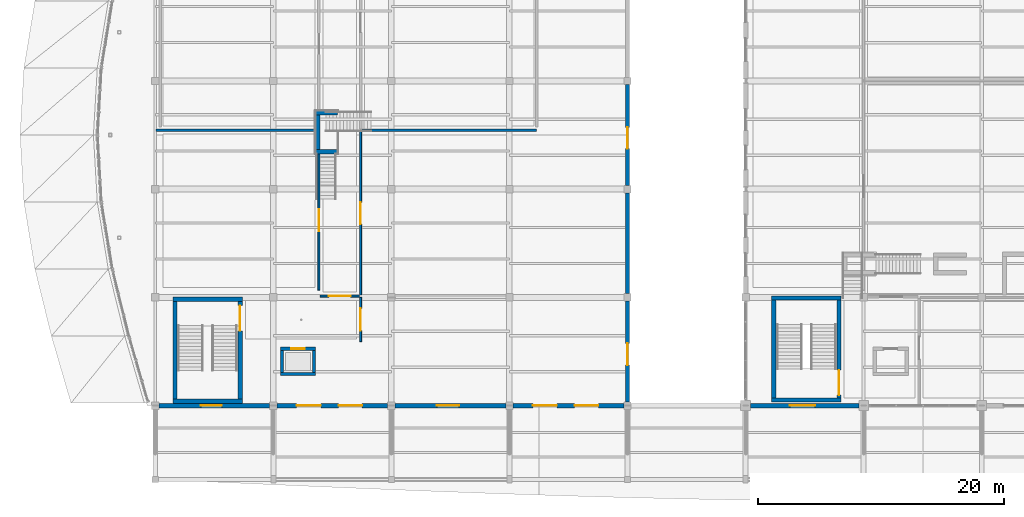
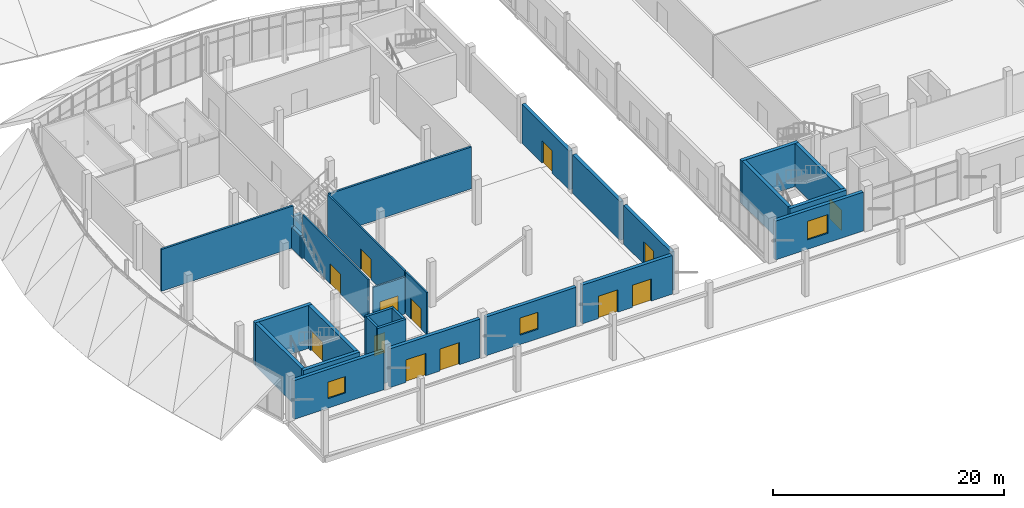
# One storey, part 76 of 116: 29 walls, 13 doors, 3 windows, 16 openings.
"""IFC4 building model written with IfcOpenShell, lengths in metres."""

from ifc_helpers import new_model, si_unit, direction, frame, frame_2d, origin, place, context, subcontext, project, spatial, rectangle, extrude, material, layer, layer_set, type_object, element, fill, save


model = new_model("IFC4")

# Units and contexts
model_context = context("Model", 3, precision=1e-05, world=origin(), true_north=direction((0.0, 1.0)))
body_context = subcontext(model_context, "Body", "Model", "MODEL_VIEW")
ifc_project = project(units=[si_unit("LENGTHUNIT", "METRE"), si_unit("AREAUNIT", "SQUARE_METRE"), si_unit("VOLUMEUNIT", "CUBIC_METRE"), si_unit("PLANEANGLEUNIT", "RADIAN"), si_unit("MASSUNIT", "GRAM", prefix="KILO")], contexts=[model_context])

# Site, building, storey
site_placement = place(None, origin())
site = spatial("IfcSite", under=ifc_project, at=site_placement, CompositionType="ELEMENT")
building_placement = place(site_placement, origin())
building = spatial("IfcBuilding", under=site, at=building_placement, Name="Chalmorin Arch Market", CompositionType="ELEMENT")
storey_placement = place(building_placement, origin())
storey = spatial("IfcBuildingStorey", under=building, at=storey_placement, Name="L00", CompositionType="ELEMENT", Elevation=0.0)

# Walls
ifc_material_1 = material(Name="Concrete C40/50", Category="concrete")
ifc_layer_1 = layer(ifc_material_1, 0.35009765625)
ifc_layer_set_1 = layer_set([ifc_layer_1], Name="Concrete C40/50")
wall_type_1 = type_object("IfcWallType", Name="CoreShearWall-350", PredefinedType="SHEAR", material=ifc_layer_set_1)
for number, where, z_axis, x_axis, name in (
    (1, (7.074951171875, 6.35009765625, 0.0), (0.0, 0.0, 1.0), (-1.0, 0.0, 0.0), "CSW-350-005"),
    (2, (1.425048828125, 14.64990234375, 0.0), (0.0, 0.0, 1.0), (1.0, 0.0, 0.0), "CSW-350-006"),
):
    element("IfcWall", number, at=place(storey_placement, frame(where, z_axis=z_axis, x_axis=x_axis)), inside=storey, type_object=wall_type_1, Name=name, PredefinedType="SHEAR", context=body_context, shape_type="SweptSolid", body=[
        extrude(rectangle(XDim=5.64990234375, YDim=0.35009765625, at=frame_2d((2.824951171875, 0.0))), origin(), (0.0, 0.0, 1.0), 4.550048828125),
    ])
wall_1_placement = place(storey_placement, frame((1.60009765625, 6.52490234375, 0.0), z_axis=(0.0, 0.0, 1.0), x_axis=(0.0, 1.0, 0.0)))
element("IfcWall", 3, at=wall_1_placement, inside=storey, type_object=wall_type_1, Name="CSW-350-007", PredefinedType="SHEAR", context=body_context, shape_type="SweptSolid", body=[
    extrude(rectangle(XDim=7.9501953125, YDim=0.35009765625, at=frame_2d((3.97509765625, 0.0))), origin(), (0.0, 0.0, 1.0), 4.550048828125),
])

# Wall, opening, door
wall_2_placement = place(storey_placement, frame((6.89990234375, 14.47509765625, 0.0), z_axis=(0.0, 0.0, 1.0), x_axis=(0.0, -1.0, 0.0)))
wall_2 = element("IfcWall", 4, at=wall_2_placement, inside=storey, type_object=wall_type_1, Name="CSW-350-008", PredefinedType="SHEAR", context=body_context, shape_type="SweptSolid", body=[
    extrude(rectangle(XDim=7.9501953125, YDim=0.35009765625, at=frame_2d((3.97509765625, 0.0))), origin(), (0.0, 0.0, 1.0), 4.550048828125),
])
opening_1_placement = place(wall_2_placement, frame((0.35009765625, 0.0, 0.0)))
opening_1 = element("IfcOpeningElement", 5, at=opening_1_placement, cuts=wall_2, Name="Opening FD-SC1-L00", PredefinedType="OPENING", context=body_context, shape_type="SweptSolid", body=[
    extrude(rectangle(XDim=2.050048828125, YDim=2.14990234375, at=frame_2d((1.02490234375, 1.074951171875))), frame((0.0, 0.18505859375, 0.0), z_axis=(0.0, -1.0, 0.0), x_axis=(1.0, 0.0, 0.0)), (0.0, 0.0, 1.0), 0.3701171875),
])
ifc_material_2 = material(Name="Galvanised Steel", Category="steel")
door_type_1 = type_object("IfcDoorType", Name="DoubleFireExitDoor-2050x2150", OperationType="DOUBLE_DOOR_SINGLE_SWING", PredefinedType="DOOR", material=ifc_material_2)
door_1_placement = place(opening_1_placement, origin())
door_1 = element("IfcDoor", 6, at=door_1_placement, inside=storey, type_object=door_type_1, Name="FD-SC1-L00", OperationType="DOUBLE_DOOR_SINGLE_SWING", OverallHeight=2.14990234375, OverallWidth=2.050048828125, PredefinedType="DOOR", context=body_context, shape_type="SweptSolid", body=[
    extrude(rectangle(XDim=2.050048828125, YDim=2.14990234375, at=frame_2d((1.02490234375, 1.074951171875))), frame((0.0, 0.02490234375, 0.0), z_axis=(0.0, -1.0, 0.0), x_axis=(1.0, 0.0, 0.0)), (0.0, 0.0, 1.0), 0.050048828125),
])
fill(opening_1, door_1)

# Walls
for number, where, z_axis, x_axis, name in (
    (7, (55.77490234375, 6.449951171875, 0.0), (0.0, 0.0, 1.0), (-1.0, 0.0, 0.0), "CSW-350-037"),
    (8, (50.125, 14.75, 0.0), (0.0, 0.0, 1.0), (1.0, 0.0, 0.0), "CSW-350-038"),
):
    element("IfcWall", number, at=place(storey_placement, frame(where, z_axis=z_axis, x_axis=x_axis)), inside=storey, type_object=wall_type_1, Name=name, PredefinedType="SHEAR", context=body_context, shape_type="SweptSolid", body=[
        extrude(rectangle(XDim=5.64990234375, YDim=0.35009765625, at=frame_2d((2.824951171875, 0.0))), origin(), (0.0, 0.0, 1.0), 4.550048828125),
    ])
wall_3_placement = place(storey_placement, frame((50.300048828125, 6.625, 0.0), z_axis=(0.0, 0.0, 1.0), x_axis=(0.0, 1.0, 0.0)))
element("IfcWall", 9, at=wall_3_placement, inside=storey, type_object=wall_type_1, Name="CSW-350-039", PredefinedType="SHEAR", context=body_context, shape_type="SweptSolid", body=[
    extrude(rectangle(XDim=7.949951171875, YDim=0.35009765625, at=frame_2d((3.97509765625, 0.0))), origin(), (0.0, 0.0, 1.0), 4.550048828125),
])

# Wall, opening, door
wall_4_placement = place(storey_placement, frame((55.60009765625, 14.574951171875, 0.0), z_axis=(0.0, 0.0, 1.0), x_axis=(0.0, -1.0, 0.0)))
wall_4 = element("IfcWall", 10, at=wall_4_placement, inside=storey, type_object=wall_type_1, Name="CSW-350-040", PredefinedType="SHEAR", context=body_context, shape_type="SweptSolid", body=[
    extrude(rectangle(XDim=7.949951171875, YDim=0.35009765625, at=frame_2d((3.97509765625, 0.0))), origin(), (0.0, 0.0, 1.0), 4.550048828125),
])
opening_2_placement = place(wall_4_placement, frame((5.679931640625, 0.0, 0.0)))
opening_2 = element("IfcOpeningElement", 11, at=opening_2_placement, cuts=wall_4, Name="Opening FD-SC3-L00", PredefinedType="OPENING", context=body_context, shape_type="SweptSolid", body=[
    extrude(rectangle(XDim=2.050048828125, YDim=2.14990234375, at=frame_2d((1.02490234375, 1.074951171875))), frame((0.0, 0.18505859375, 0.0), z_axis=(0.0, -1.0, 0.0), x_axis=(1.0, 0.0, 0.0)), (0.0, 0.0, 1.0), 0.3701171875),
])
door_2_placement = place(opening_2_placement, origin())
door_2 = element("IfcDoor", 12, at=door_2_placement, inside=storey, type_object=door_type_1, Name="FD-SC3-L00", OperationType="DOUBLE_DOOR_SINGLE_SWING", OverallHeight=2.14990234375, OverallWidth=2.050048828125, PredefinedType="DOOR", context=body_context, shape_type="SweptSolid", body=[
    extrude(rectangle(XDim=2.050048828125, YDim=2.14990234375, at=frame_2d((1.02490234375, 1.074951171875))), frame((0.0, 0.02490234375, 0.0), z_axis=(0.0, -1.0, 0.0), x_axis=(1.0, 0.0, 0.0)), (0.0, 0.0, 1.0), 0.050048828125),
])
fill(opening_2, door_2)

# Walls
for number, where, z_axis, x_axis, name in (
    (13, (13.02490234375, 26.64990234375, 0.0), (0.0, 0.0, 1.0), (1.0, 0.0, 0.0), "CSW-350-171"),
    (14, (13.02490234375, 29.800048828125, 0.0), (0.0, 0.0, 1.0), (1.0, 0.0, 0.0), "CSW-350-172"),
):
    element("IfcWall", number, at=place(storey_placement, frame(where, z_axis=z_axis, x_axis=x_axis)), inside=storey, type_object=wall_type_1, Name=name, PredefinedType="SHEAR", context=body_context, shape_type="SweptSolid", body=[
        extrude(rectangle(XDim=1.800048828125, YDim=0.35009765625, at=frame_2d((0.89990234375, 0.0))), origin(), (0.0, 0.0, 1.0), 2.205078125),
    ])
wall_5_placement = place(storey_placement, frame((13.199951171875, 26.824951171875, 0.0), z_axis=(0.0, 0.0, 1.0), x_axis=(0.0, 1.0, 0.0)))
element("IfcWall", 15, at=wall_5_placement, inside=storey, type_object=wall_type_1, Name="CSW-350-173", PredefinedType="SHEAR", context=body_context, shape_type="SweptSolid", body=[
    extrude(rectangle(XDim=2.800048828125, YDim=0.35009765625, at=frame_2d((1.39990234375, 0.0))), origin(), (0.0, 0.0, 1.0), 2.205078125),
])

# Wall, opening, door
ifc_material_3 = material(Name="Gypsum Board Partition")
ifc_layer_2 = layer(ifc_material_3, 0.159912109375)
ifc_layer_set_2 = layer_set([ifc_layer_2], Name="Gypsum Board Partition")
wall_type_2 = type_object("IfcWallType", Name="CorridorRatedPartition-160", PredefinedType="PARTITIONING", material=ifc_layer_set_2)
wall_6_placement = place(storey_placement, frame((16.699951171875, 11.199951171875, 0.0), z_axis=(0.0, 0.0, 1.0), x_axis=(0.0, 1.0, 0.0)))
wall_6 = element("IfcWall", 16, at=wall_6_placement, inside=storey, type_object=wall_type_2, Name="CRP-160-417", PredefinedType="PARTITIONING", context=body_context, shape_type="SweptSolid", body=[
    extrude(rectangle(XDim=3.60009765625, YDim=0.159912109375, at=frame_2d((1.800048828125, 0.0))), origin(), (0.0, 0.0, 1.0), 4.419921875),
])
opening_3_placement = place(wall_6_placement, frame((0.89990234375, 0.0, 0.0)))
opening_3 = element("IfcOpeningElement", 17, at=opening_3_placement, cuts=wall_6, Name="Opening ID-115", PredefinedType="OPENING", context=body_context, shape_type="SweptSolid", body=[
    extrude(rectangle(XDim=1.800048828125, YDim=2.14990234375, at=frame_2d((0.89990234375, 1.074951171875))), frame((0.0, 0.08984375, 0.0), z_axis=(0.0, -1.0, 0.0), x_axis=(1.0, 0.0, 0.0)), (0.0, 0.0, 1.0), 0.179931640625),
])
door_type_2 = type_object("IfcDoorType", Name="CorridorFireDoubleDoor-1800x2150", OperationType="DOUBLE_DOOR_SINGLE_SWING", PredefinedType="DOOR", material=ifc_material_2)
door_3_placement = place(opening_3_placement, origin())
door_3 = element("IfcDoor", 18, at=door_3_placement, inside=storey, type_object=door_type_2, Name="ID-115", OperationType="DOUBLE_DOOR_SINGLE_SWING", OverallHeight=2.14990234375, OverallWidth=1.800048828125, PredefinedType="DOOR", context=body_context, shape_type="SweptSolid", body=[
    extrude(rectangle(XDim=1.800048828125, YDim=2.14990234375, at=frame_2d((0.89990234375, 1.074951171875))), frame((0.0, 0.02490234375, 0.0), z_axis=(0.0, -1.0, 0.0), x_axis=(1.0, 0.0, 0.0)), (0.0, 0.0, 1.0), 0.050048828125),
])
fill(opening_3, door_3)

wall_7_placement = place(storey_placement, frame((16.699951171875, 15.0, 0.0), z_axis=(0.0, 0.0, 1.0), x_axis=(0.0, 1.0, 0.0)))
wall_7 = element("IfcWall", 19, at=wall_7_placement, inside=storey, type_object=wall_type_2, Name="CRP-160-418", PredefinedType="PARTITIONING", context=body_context, shape_type="SweptSolid", body=[
    extrude(rectangle(XDim=13.300048828125, YDim=0.159912109375, at=frame_2d((6.64990234375, 0.0))), origin(), (0.0, 0.0, 1.0), 4.419921875),
])
opening_4_placement = place(wall_7_placement, frame((5.75, 0.0, 0.0)))
opening_4 = element("IfcOpeningElement", 20, at=opening_4_placement, cuts=wall_7, Name="Opening ID-116", PredefinedType="OPENING", context=body_context, shape_type="SweptSolid", body=[
    extrude(rectangle(XDim=1.800048828125, YDim=2.14990234375, at=frame_2d((0.89990234375, 1.074951171875))), frame((0.0, 0.08984375, 0.0), z_axis=(0.0, -1.0, 0.0), x_axis=(1.0, 0.0, 0.0)), (0.0, 0.0, 1.0), 0.179931640625),
])
door_4_placement = place(opening_4_placement, origin())
door_4 = element("IfcDoor", 21, at=door_4_placement, inside=storey, type_object=door_type_2, Name="ID-116", OperationType="DOUBLE_DOOR_SINGLE_SWING", OverallHeight=2.14990234375, OverallWidth=1.800048828125, PredefinedType="DOOR", context=body_context, shape_type="SweptSolid", body=[
    extrude(rectangle(XDim=1.800048828125, YDim=2.14990234375, at=frame_2d((0.89990234375, 1.074951171875))), frame((0.0, 0.02490234375, 0.0), z_axis=(0.0, -1.0, 0.0), x_axis=(1.0, 0.0, 0.0)), (0.0, 0.0, 1.0), 0.050048828125),
])
fill(opening_4, door_4)

wall_8_placement = place(storey_placement, frame((13.300048828125, 15.39990234375, 0.0), z_axis=(0.0, 0.0, 1.0), x_axis=(0.0, 1.0, 0.0)))
wall_8 = element("IfcWall", 22, at=wall_8_placement, inside=storey, type_object=wall_type_2, Name="CRP-160-420", PredefinedType="PARTITIONING", context=body_context, shape_type="SweptSolid", body=[
    extrude(rectangle(XDim=11.34521484375, YDim=0.159912109375, at=frame_2d((5.672607421875, 0.0))), origin(), (0.0, 0.0, 1.0), 4.419921875),
])
opening_5_placement = place(wall_8_placement, frame((4.77197265625, 0.0, 0.0)))
opening_5 = element("IfcOpeningElement", 23, at=opening_5_placement, cuts=wall_8, Name="Opening ID-117", PredefinedType="OPENING", context=body_context, shape_type="SweptSolid", body=[
    extrude(rectangle(XDim=1.800048828125, YDim=2.14990234375, at=frame_2d((0.89990234375, 1.074951171875))), frame((0.0, 0.08984375, 0.0), z_axis=(0.0, -1.0, 0.0), x_axis=(1.0, 0.0, 0.0)), (0.0, 0.0, 1.0), 0.179931640625),
])
door_5_placement = place(opening_5_placement, origin())
door_5 = element("IfcDoor", 24, at=door_5_placement, inside=storey, type_object=door_type_2, Name="ID-117", OperationType="DOUBLE_DOOR_SINGLE_SWING", OverallHeight=2.14990234375, OverallWidth=1.800048828125, PredefinedType="DOOR", context=body_context, shape_type="SweptSolid", body=[
    extrude(rectangle(XDim=1.800048828125, YDim=2.14990234375, at=frame_2d((0.89990234375, 1.074951171875))), frame((0.0, 0.02490234375, 0.0), z_axis=(0.0, -1.0, 0.0), x_axis=(1.0, 0.0, 0.0)), (0.0, 0.0, 1.0), 0.050048828125),
])
fill(opening_5, door_5)

wall_9_placement = place(storey_placement, frame((13.39990234375, 14.89990234375, 0.0), z_axis=(0.0, 0.0, 1.0), x_axis=(1.0, 0.0, 0.0)))
wall_9 = element("IfcWall", 25, at=wall_9_placement, inside=storey, type_object=wall_type_2, Name="CRP-160-427", PredefinedType="PARTITIONING", context=body_context, shape_type="SweptSolid", body=[
    extrude(rectangle(XDim=3.2001953125, YDim=0.159912109375, at=frame_2d((1.60009765625, 0.0))), origin(), (0.0, 0.0, 1.0), 3.89501953125),
])
opening_6_placement = place(wall_9_placement, frame((0.699951171875, 0.0, 0.0)))
opening_6 = element("IfcOpeningElement", 26, at=opening_6_placement, cuts=wall_9, Name="Opening ID-121", PredefinedType="OPENING", context=body_context, shape_type="SweptSolid", body=[
    extrude(rectangle(XDim=1.800048828125, YDim=2.14990234375, at=frame_2d((0.89990234375, 1.074951171875))), frame((0.0, 0.08984375, 0.0), z_axis=(0.0, -1.0, 0.0), x_axis=(1.0, 0.0, 0.0)), (0.0, 0.0, 1.0), 0.179931640625),
])
door_6_placement = place(opening_6_placement, origin())
door_6 = element("IfcDoor", 27, at=door_6_placement, inside=storey, type_object=door_type_2, Name="ID-121", OperationType="DOUBLE_DOOR_SINGLE_SWING", OverallHeight=2.14990234375, OverallWidth=1.800048828125, PredefinedType="DOOR", context=body_context, shape_type="SweptSolid", body=[
    extrude(rectangle(XDim=1.800048828125, YDim=2.14990234375, at=frame_2d((0.89990234375, 1.074951171875))), frame((0.0, 0.02490234375, 0.0), z_axis=(0.0, -1.0, 0.0), x_axis=(1.0, 0.0, 0.0)), (0.0, 0.0, 1.0), 0.050048828125),
])
fill(opening_6, door_6)

# Walls
ifc_material_4 = material(Name="Concrete C30/37", Category="concrete")
ifc_layer_3 = layer(ifc_material_4, 0.199951171875)
ifc_layer_set_3 = layer_set([ifc_layer_3], Name="Concrete C30/37")
wall_type_3 = type_object("IfcWallType", Name="FireCompartmentWall-200", PredefinedType="PARTITIONING", material=ifc_layer_set_3)
wall_10_placement = place(storey_placement, frame((16.800048828125, 28.39990234375, 0.0), z_axis=(0.0, 0.0, 1.0), x_axis=(1.0, 0.0, 0.0)))
element("IfcWall", 28, at=wall_10_placement, inside=storey, type_object=wall_type_3, Name="FCW-200-416", PredefinedType="PARTITIONING", context=body_context, shape_type="SweptSolid", body=[
    extrude(rectangle(XDim=14.199951171875, YDim=0.199951171875, at=frame_2d((7.10009765625, 0.0))), origin(), (0.0, 0.0, 1.0), 4.419921875),
])
wall_11_placement = place(storey_placement, frame((0.050048828125, 28.39990234375, 0.0), z_axis=(0.0, 0.0, 1.0), x_axis=(1.0, 0.0, 0.0)))
element("IfcWall", 29, at=wall_11_placement, inside=storey, type_object=wall_type_3, Name="FCW-200-419", PredefinedType="PARTITIONING", context=body_context, shape_type="SweptSolid", body=[
    extrude(rectangle(XDim=13.14990234375, YDim=0.199951171875, at=frame_2d((6.574951171875, 0.0))), origin(), (0.0, 0.0, 1.0), 4.419921875),
])

# Wall, opening, window
ifc_material_5 = material(Name="Concrete C35/45", Category="concrete")
ifc_layer_4 = layer(ifc_material_5, 0.35009765625)
ifc_layer_set_4 = layer_set([ifc_layer_4], Name="Concrete C35/45")
wall_type_4 = type_object("IfcWallType", Name="PlinthPerimeterWall-350", PredefinedType="SOLIDWALL", material=ifc_layer_set_4)
wall_12_placement = place(storey_placement, frame((48.39990234375, 6.0, 0.0), z_axis=(0.0, 0.0, 1.0), x_axis=(1.0, 0.0, 0.0)))
wall_12 = element("IfcWall", 30, at=wall_12_placement, inside=storey, type_object=wall_type_4, Name="PPW-350-073", PredefinedType="SOLIDWALL", context=body_context, shape_type="SweptSolid", body=[
    extrude(rectangle(XDim=8.800048828125, YDim=0.35009765625, at=frame_2d((4.39990234375, 0.0))), origin(), (0.0, 0.0, 1.0), 4.10009765625),
])
opening_7_placement = place(wall_12_placement, frame((3.199951171875, 0.0, 1.0)))
opening_7 = element("IfcOpeningElement", 31, at=opening_7_placement, cuts=wall_12, Name="Opening WN-001", PredefinedType="OPENING", context=body_context, shape_type="SweptSolid", body=[
    extrude(rectangle(XDim=2.06005859375, YDim=1.969970703125, at=frame_2d((1.030029296875, 0.98486328125))), frame((0.0, 0.18505859375, 0.0), z_axis=(0.0, -1.0, 0.0), x_axis=(1.0, 0.0, 0.0)), (0.0, 0.0, 1.0), 0.3701171875),
])
ifc_material_6 = material(Name="Low-E Tempered Glass", Category="glass")
window_type_1 = type_object("IfcWindowType", Name="GalleryArchHeadWindow-2100x2000-2060x1970", PartitioningType="SINGLE_PANEL", PredefinedType="WINDOW", material=ifc_material_6)
window_1_placement = place(opening_7_placement, origin())
window_1 = element("IfcWindow", 32, at=window_1_placement, inside=storey, type_object=window_type_1, Name="WN-001", OverallHeight=1.969970703125, OverallWidth=2.06005859375, PartitioningType="SINGLE_PANEL", PredefinedType="WINDOW", context=body_context, shape_type="SweptSolid", body=[
    extrude(rectangle(XDim=2.06005859375, YDim=1.969970703125, at=frame_2d((1.030029296875, 0.98486328125))), frame((0.0, 0.030029296875, 0.0), z_axis=(0.0, -1.0, 0.0), x_axis=(1.0, 0.0, 0.0)), (0.0, 0.0, 1.0), 0.06005859375),
])
fill(opening_7, window_1)

wall_13_placement = place(storey_placement, frame((0.300048828125, 6.0, 0.0), z_axis=(0.0, 0.0, 1.0), x_axis=(1.0, 0.0, 0.0)))
wall_13 = element("IfcWall", 33, at=wall_13_placement, inside=storey, type_object=wall_type_4, Name="PPW-350-165", PredefinedType="SOLIDWALL", context=body_context, shape_type="SweptSolid", body=[
    extrude(rectangle(XDim=9.0, YDim=0.35009765625, at=frame_2d((4.5, 0.0))), origin(), (0.0, 0.0, 1.0), 4.10009765625),
])
opening_8_placement = place(wall_13_placement, frame((3.39990234375, 0.0, 1.0)))
opening_8 = element("IfcOpeningElement", 34, at=opening_8_placement, cuts=wall_13, Name="Opening WN-094", PredefinedType="OPENING", context=body_context, shape_type="SweptSolid", body=[
    extrude(rectangle(XDim=1.719970703125, YDim=1.739990234375, at=frame_2d((0.85986328125, 0.8701171875))), frame((0.0, 0.18505859375, 0.0), z_axis=(0.0, -1.0, 0.0), x_axis=(1.0, 0.0, 0.0)), (0.0, 0.0, 1.0), 0.3701171875),
])
window_type_2 = type_object("IfcWindowType", Name="CulinaryStudioWindow-1800x1800-1720x1740", PartitioningType="SINGLE_PANEL", PredefinedType="WINDOW", material=ifc_material_6)
window_2_placement = place(opening_8_placement, origin())
window_2 = element("IfcWindow", 35, at=window_2_placement, inside=storey, type_object=window_type_2, Name="WN-094", OverallHeight=1.739990234375, OverallWidth=1.719970703125, PartitioningType="SINGLE_PANEL", PredefinedType="WINDOW", context=body_context, shape_type="SweptSolid", body=[
    extrude(rectangle(XDim=1.719970703125, YDim=1.739990234375, at=frame_2d((0.85986328125, 0.8701171875))), frame((0.0, 0.030029296875, 0.0), z_axis=(0.0, -1.0, 0.0), x_axis=(1.0, 0.0, 0.0)), (0.0, 0.0, 1.0), 0.06005859375),
])
fill(opening_8, window_2)

# Wall, openings, doors
wall_14_placement = place(storey_placement, frame((9.89990234375, 6.0, 0.0), z_axis=(0.0, 0.0, 1.0), x_axis=(1.0, 0.0, 0.0)))
wall_14 = element("IfcWall", 36, at=wall_14_placement, inside=storey, type_object=wall_type_4, Name="PPW-350-166", PredefinedType="SOLIDWALL", context=body_context, shape_type="SweptSolid", body=[
    extrude(rectangle(XDim=9.0, YDim=0.35009765625, at=frame_2d((4.5, 0.0))), origin(), (0.0, 0.0, 1.0), 4.10009765625),
])
opening_9_placement = place(wall_14_placement, frame((1.60009765625, 0.0, 0.0)))
opening_9 = element("IfcOpeningElement", 37, at=opening_9_placement, cuts=wall_14, Name="Opening ED-029", PredefinedType="OPENING", context=body_context, shape_type="SweptSolid", body=[
    extrude(rectangle(XDim=1.9599609375, YDim=2.3701171875, at=frame_2d((0.97998046875, 1.18505859375))), frame((0.0, 0.18505859375, 0.0), z_axis=(0.0, -1.0, 0.0), x_axis=(1.0, 0.0, 0.0)), (0.0, 0.0, 1.0), 0.3701171875),
])
opening_10_placement = place(wall_14_placement, frame((5.0, 0.0, 0.0)))
opening_10 = element("IfcOpeningElement", 38, at=opening_10_placement, cuts=wall_14, Name="Opening ED-030", PredefinedType="OPENING", context=body_context, shape_type="SweptSolid", body=[
    extrude(rectangle(XDim=1.919921875, YDim=2.340087890625, at=frame_2d((0.9599609375, 1.169921875))), frame((0.0, 0.18505859375, 0.0), z_axis=(0.0, -1.0, 0.0), x_axis=(1.0, 0.0, 0.0)), (0.0, 0.0, 1.0), 0.3701171875),
])
ifc_material_7 = material(Name="Aluminium 6063-T6", Category="aluminium")
door_type_3 = type_object("IfcDoorType", Name="DoubleStorefrontDoor-2000x2400-1920x2340", OperationType="DOUBLE_DOOR_SINGLE_SWING", PredefinedType="DOOR", material=ifc_material_7)
door_7_placement = place(opening_10_placement, origin())
door_7 = element("IfcDoor", 39, at=door_7_placement, inside=storey, type_object=door_type_3, Name="ED-030", OperationType="DOUBLE_DOOR_SINGLE_SWING", OverallHeight=2.340087890625, OverallWidth=1.919921875, PredefinedType="DOOR", context=body_context, shape_type="SweptSolid", body=[
    extrude(rectangle(XDim=1.919921875, YDim=2.340087890625, at=frame_2d((0.9599609375, 1.169921875))), frame((0.0, 0.02490234375, 0.0), z_axis=(0.0, -1.0, 0.0), x_axis=(1.0, 0.0, 0.0)), (0.0, 0.0, 1.0), 0.050048828125),
])
fill(opening_10, door_7)
door_type_4 = type_object("IfcDoorType", Name="DoubleStorefrontDoor-2000x2400-1960x2370", OperationType="DOUBLE_DOOR_SINGLE_SWING", PredefinedType="DOOR", material=ifc_material_7)
door_8_placement = place(opening_9_placement, origin())
door_8 = element("IfcDoor", 40, at=door_8_placement, inside=storey, type_object=door_type_4, Name="ED-029", OperationType="DOUBLE_DOOR_SINGLE_SWING", OverallHeight=2.3701171875, OverallWidth=1.9599609375, PredefinedType="DOOR", context=body_context, shape_type="SweptSolid", body=[
    extrude(rectangle(XDim=1.9599609375, YDim=2.3701171875, at=frame_2d((0.97998046875, 1.18505859375))), frame((0.0, 0.02490234375, 0.0), z_axis=(0.0, -1.0, 0.0), x_axis=(1.0, 0.0, 0.0)), (0.0, 0.0, 1.0), 0.050048828125),
])
fill(opening_9, door_8)

# Wall, opening, window
wall_15_placement = place(storey_placement, frame((19.5, 6.0, 0.0), z_axis=(0.0, 0.0, 1.0), x_axis=(1.0, 0.0, 0.0)))
wall_15 = element("IfcWall", 41, at=wall_15_placement, inside=storey, type_object=wall_type_4, Name="PPW-350-168", PredefinedType="SOLIDWALL", context=body_context, shape_type="SweptSolid", body=[
    extrude(rectangle(XDim=9.0, YDim=0.35009765625, at=frame_2d((4.5, 0.0))), origin(), (0.0, 0.0, 1.0), 4.10009765625),
])
opening_11_placement = place(wall_15_placement, frame((3.39990234375, 0.0, 1.0)))
opening_11 = element("IfcOpeningElement", 42, at=opening_11_placement, cuts=wall_15, Name="Opening WN-096", PredefinedType="OPENING", context=body_context, shape_type="SweptSolid", body=[
    extrude(rectangle(XDim=1.800048828125, YDim=1.800048828125, at=frame_2d((0.89990234375, 0.89990234375))), frame((0.0, 0.18505859375, 0.0), z_axis=(0.0, -1.0, 0.0), x_axis=(1.0, 0.0, 0.0)), (0.0, 0.0, 1.0), 0.3701171875),
])
window_type_3 = type_object("IfcWindowType", Name="CulinaryStudioWindow-1800x1800", PartitioningType="SINGLE_PANEL", PredefinedType="WINDOW", material=ifc_material_6)
window_3_placement = place(opening_11_placement, origin())
window_3 = element("IfcWindow", 43, at=window_3_placement, inside=storey, type_object=window_type_3, Name="WN-096", OverallHeight=1.800048828125, OverallWidth=1.800048828125, PartitioningType="SINGLE_PANEL", PredefinedType="WINDOW", context=body_context, shape_type="SweptSolid", body=[
    extrude(rectangle(XDim=1.800048828125, YDim=1.800048828125, at=frame_2d((0.89990234375, 0.89990234375))), frame((0.0, 0.030029296875, 0.0), z_axis=(0.0, -1.0, 0.0), x_axis=(1.0, 0.0, 0.0)), (0.0, 0.0, 1.0), 0.06005859375),
])
fill(opening_11, window_3)

# Wall, openings, doors
wall_16_placement = place(storey_placement, frame((29.10009765625, 6.0, 0.0), z_axis=(0.0, 0.0, 1.0), x_axis=(1.0, 0.0, 0.0)))
wall_16 = element("IfcWall", 44, at=wall_16_placement, inside=storey, type_object=wall_type_4, Name="PPW-350-170", PredefinedType="SOLIDWALL", context=body_context, shape_type="SweptSolid", body=[
    extrude(rectangle(XDim=9.0, YDim=0.35009765625, at=frame_2d((4.5, 0.0))), origin(), (0.0, 0.0, 1.0), 4.10009765625),
])
opening_12_placement = place(wall_16_placement, frame((1.60009765625, 0.0, 0.0)))
opening_12 = element("IfcOpeningElement", 45, at=opening_12_placement, cuts=wall_16, Name="Opening ED-033", PredefinedType="OPENING", context=body_context, shape_type="SweptSolid", body=[
    extrude(rectangle(XDim=1.9599609375, YDim=2.3701171875, at=frame_2d((0.97998046875, 1.18505859375))), frame((0.0, 0.18505859375, 0.0), z_axis=(0.0, -1.0, 0.0), x_axis=(1.0, 0.0, 0.0)), (0.0, 0.0, 1.0), 0.3701171875),
])
opening_13_placement = place(wall_16_placement, frame((5.0, 0.0, 0.0)))
opening_13 = element("IfcOpeningElement", 46, at=opening_13_placement, cuts=wall_16, Name="Opening ED-034", PredefinedType="OPENING", context=body_context, shape_type="SweptSolid", body=[
    extrude(rectangle(XDim=1.919921875, YDim=2.340087890625, at=frame_2d((0.9599609375, 1.169921875))), frame((0.0, 0.18505859375, 0.0), z_axis=(0.0, -1.0, 0.0), x_axis=(1.0, 0.0, 0.0)), (0.0, 0.0, 1.0), 0.3701171875),
])
door_9_placement = place(opening_13_placement, origin())
door_9 = element("IfcDoor", 47, at=door_9_placement, inside=storey, type_object=door_type_3, Name="ED-034", OperationType="DOUBLE_DOOR_SINGLE_SWING", OverallHeight=2.340087890625, OverallWidth=1.919921875, PredefinedType="DOOR", context=body_context, shape_type="SweptSolid", body=[
    extrude(rectangle(XDim=1.919921875, YDim=2.340087890625, at=frame_2d((0.9599609375, 1.169921875))), frame((0.0, 0.02490234375, 0.0), z_axis=(0.0, -1.0, 0.0), x_axis=(1.0, 0.0, 0.0)), (0.0, 0.0, 1.0), 0.050048828125),
])
fill(opening_13, door_9)
door_10_placement = place(opening_12_placement, origin())
door_10 = element("IfcDoor", 48, at=door_10_placement, inside=storey, type_object=door_type_4, Name="ED-033", OperationType="DOUBLE_DOOR_SINGLE_SWING", OverallHeight=2.3701171875, OverallWidth=1.9599609375, PredefinedType="DOOR", context=body_context, shape_type="SweptSolid", body=[
    extrude(rectangle(XDim=1.9599609375, YDim=2.3701171875, at=frame_2d((0.97998046875, 1.18505859375))), frame((0.0, 0.02490234375, 0.0), z_axis=(0.0, -1.0, 0.0), x_axis=(1.0, 0.0, 0.0)), (0.0, 0.0, 1.0), 0.050048828125),
])
fill(opening_12, door_10)

# Wall, opening, door
wall_17_placement = place(storey_placement, frame((38.39990234375, 6.300048828125, 0.0), z_axis=(0.0, 0.0, 1.0), x_axis=(0.0, 1.0, 0.0)))
wall_17 = element("IfcWall", 49, at=wall_17_placement, inside=storey, type_object=wall_type_4, Name="PPW-350-173", PredefinedType="SOLIDWALL", context=body_context, shape_type="SweptSolid", body=[
    extrude(rectangle(XDim=8.199951171875, YDim=0.35009765625, at=frame_2d((4.10009765625, 0.0))), origin(), (0.0, 0.0, 1.0), 4.10009765625),
])
opening_14_placement = place(wall_17_placement, frame((3.0, 0.0, 0.0)))
opening_14 = element("IfcOpeningElement", 50, at=opening_14_placement, cuts=wall_17, Name="Opening ED-037", PredefinedType="OPENING", context=body_context, shape_type="SweptSolid", body=[
    extrude(rectangle(XDim=1.760009765625, YDim=2.3701171875, at=frame_2d((0.8798828125, 1.18505859375))), frame((0.0, 0.18505859375, 0.0), z_axis=(0.0, -1.0, 0.0), x_axis=(1.0, 0.0, 0.0)), (0.0, 0.0, 1.0), 0.3701171875),
])
door_type_5 = type_object("IfcDoorType", Name="DoubleStorefrontDoor-1800x2400-1760x2370", OperationType="DOUBLE_DOOR_SINGLE_SWING", PredefinedType="DOOR", material=ifc_material_7)
door_11_placement = place(opening_14_placement, origin())
door_11 = element("IfcDoor", 51, at=door_11_placement, inside=storey, type_object=door_type_5, Name="ED-037", OperationType="DOUBLE_DOOR_SINGLE_SWING", OverallHeight=2.3701171875, OverallWidth=1.760009765625, PredefinedType="DOOR", context=body_context, shape_type="SweptSolid", body=[
    extrude(rectangle(XDim=1.760009765625, YDim=2.3701171875, at=frame_2d((0.8798828125, 1.18505859375))), frame((0.0, 0.02490234375, 0.0), z_axis=(0.0, -1.0, 0.0), x_axis=(1.0, 0.0, 0.0)), (0.0, 0.0, 1.0), 0.050048828125),
])
fill(opening_14, door_11)

# Wall
wall_18_placement = place(storey_placement, frame((38.39990234375, 15.10009765625, 0.0), z_axis=(0.0, 0.0, 1.0), x_axis=(0.0, 1.0, 0.0)))
element("IfcWall", 52, at=wall_18_placement, inside=storey, type_object=wall_type_4, Name="PPW-350-174", PredefinedType="SOLIDWALL", context=body_context, shape_type="SweptSolid", body=[
    extrude(rectangle(XDim=8.199951171875, YDim=0.35009765625, at=frame_2d((4.10009765625, 0.0))), origin(), (0.0, 0.0, 1.0), 4.10009765625),
])

# Wall, opening, door
wall_19_placement = place(storey_placement, frame((38.39990234375, 23.89990234375, 0.0), z_axis=(0.0, 0.0, 1.0), x_axis=(0.0, 1.0, 0.0)))
wall_19 = element("IfcWall", 53, at=wall_19_placement, inside=storey, type_object=wall_type_4, Name="PPW-350-175", PredefinedType="SOLIDWALL", context=body_context, shape_type="SweptSolid", body=[
    extrude(rectangle(XDim=8.2001953125, YDim=0.35009765625, at=frame_2d((4.10009765625, 0.0))), origin(), (0.0, 0.0, 1.0), 4.10009765625),
])
opening_15_placement = place(wall_19_placement, frame((3.0, 0.0, 0.0)))
opening_15 = element("IfcOpeningElement", 54, at=opening_15_placement, cuts=wall_19, Name="Opening ED-038", PredefinedType="OPENING", context=body_context, shape_type="SweptSolid", body=[
    extrude(rectangle(XDim=1.719970703125, YDim=2.340087890625, at=frame_2d((0.85986328125, 1.169921875))), frame((0.0, 0.18505859375, 0.0), z_axis=(0.0, -1.0, 0.0), x_axis=(1.0, 0.0, 0.0)), (0.0, 0.0, 1.0), 0.3701171875),
])
door_type_6 = type_object("IfcDoorType", Name="DoubleStorefrontDoor-1800x2400-1720x2340", OperationType="DOUBLE_DOOR_SINGLE_SWING", PredefinedType="DOOR", material=ifc_material_7)
door_12_placement = place(opening_15_placement, origin())
door_12 = element("IfcDoor", 55, at=door_12_placement, inside=storey, type_object=door_type_6, Name="ED-038", OperationType="DOUBLE_DOOR_SINGLE_SWING", OverallHeight=2.340087890625, OverallWidth=1.719970703125, PredefinedType="DOOR", context=body_context, shape_type="SweptSolid", body=[
    extrude(rectangle(XDim=1.719970703125, YDim=2.340087890625, at=frame_2d((0.85986328125, 1.169921875))), frame((0.0, 0.02490234375, 0.0), z_axis=(0.0, -1.0, 0.0), x_axis=(1.0, 0.0, 0.0)), (0.0, 0.0, 1.0), 0.050048828125),
])
fill(opening_15, door_12)

# Wall
ifc_layer_5 = layer(ifc_material_5, 0.25)
ifc_layer_set_5 = layer_set([ifc_layer_5], Name="Concrete C35/45")
wall_type_5 = type_object("IfcWallType", Name="ShaftEnclosureWall-250", PredefinedType="SOLIDWALL", material=ifc_layer_set_5)
wall_20_placement = place(storey_placement, frame((13.02490234375, 8.574951171875, -1.5), z_axis=(0.0, 0.0, 1.0), x_axis=(-1.0, 0.0, 0.0)))
element("IfcWall", 56, at=wall_20_placement, inside=storey, type_object=wall_type_5, Name="SEW-250-218", PredefinedType="SOLIDWALL", context=body_context, shape_type="SweptSolid", body=[
    extrude(rectangle(XDim=2.849853515625, YDim=0.25, at=frame_2d((1.4248046875, 0.0))), origin(), (0.0, 0.0, 1.0), 6.050048828125),
])

# Wall, opening, door
wall_21_placement = place(storey_placement, frame((10.175048828125, 10.625, -1.5), z_axis=(0.0, 0.0, 1.0), x_axis=(1.0, 0.0, 0.0)))
wall_21 = element("IfcWall", 57, at=wall_21_placement, inside=storey, type_object=wall_type_5, Name="SEW-250-219", PredefinedType="SOLIDWALL", context=body_context, shape_type="SweptSolid", body=[
    extrude(rectangle(XDim=2.849853515625, YDim=0.25, at=frame_2d((1.4248046875, 0.0))), origin(), (0.0, 0.0, 1.0), 6.050048828125),
])
opening_16_placement = place(wall_21_placement, frame((0.875, 0.0, 1.5)))
opening_16 = element("IfcOpeningElement", 58, at=opening_16_placement, cuts=wall_21, Name="Opening LD-LF-P1-L00", PredefinedType="OPENING", context=body_context, shape_type="SweptSolid", body=[
    extrude(rectangle(XDim=1.10009765625, YDim=2.14990234375, at=frame_2d((0.550048828125, 1.074951171875))), frame((0.0, 0.135009765625, 0.0), z_axis=(0.0, -1.0, 0.0), x_axis=(1.0, 0.0, 0.0)), (0.0, 0.0, 1.0), 0.27001953125),
])
ifc_material_8 = material(Name="Stainless Steel 316", Category="steel")
door_type_7 = type_object("IfcDoorType", Name="LiftLandingSlidingDoor-1100x2150", OperationType="DOUBLE_DOOR_SLIDING", PredefinedType="DOOR", material=ifc_material_8)
door_13_placement = place(opening_16_placement, origin())
door_13 = element("IfcDoor", 59, at=door_13_placement, inside=storey, type_object=door_type_7, Name="LD-LF-P1-L00", OperationType="DOUBLE_DOOR_SLIDING", OverallHeight=2.14990234375, OverallWidth=1.10009765625, PredefinedType="DOOR", context=body_context, shape_type="SweptSolid", body=[
    extrude(rectangle(XDim=1.10009765625, YDim=2.14990234375, at=frame_2d((0.550048828125, 1.074951171875))), frame((0.0, 0.02490234375, 0.0), z_axis=(0.0, -1.0, 0.0), x_axis=(1.0, 0.0, 0.0)), (0.0, 0.0, 1.0), 0.050048828125),
])
fill(opening_16, door_13)

# Walls
for number, where, z_axis, x_axis, name in (
    (60, (10.300048828125, 8.699951171875, -1.5), (0.0, 0.0, 1.0), (0.0, 1.0, 0.0), "SEW-250-220"),
    (61, (12.89990234375, 10.5, -1.5), (0.0, 0.0, 1.0), (0.0, -1.0, 0.0), "SEW-250-221"),
):
    element("IfcWall", number, at=place(storey_placement, frame(where, z_axis=z_axis, x_axis=x_axis)), inside=storey, type_object=wall_type_5, Name=name, PredefinedType="SOLIDWALL", context=body_context, shape_type="SweptSolid", body=[
        extrude(rectangle(XDim=1.800048828125, YDim=0.25, at=frame_2d((0.89990234375, 0.0))), origin(), (0.0, 0.0, 1.0), 6.050048828125),
    ])

save(model, "model.ifc")
